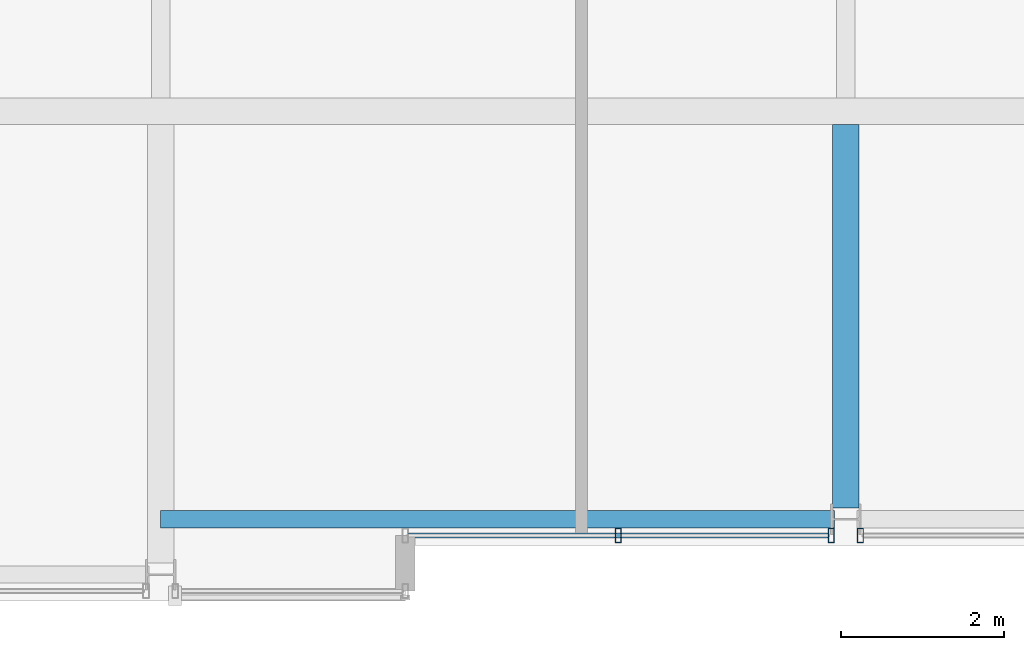
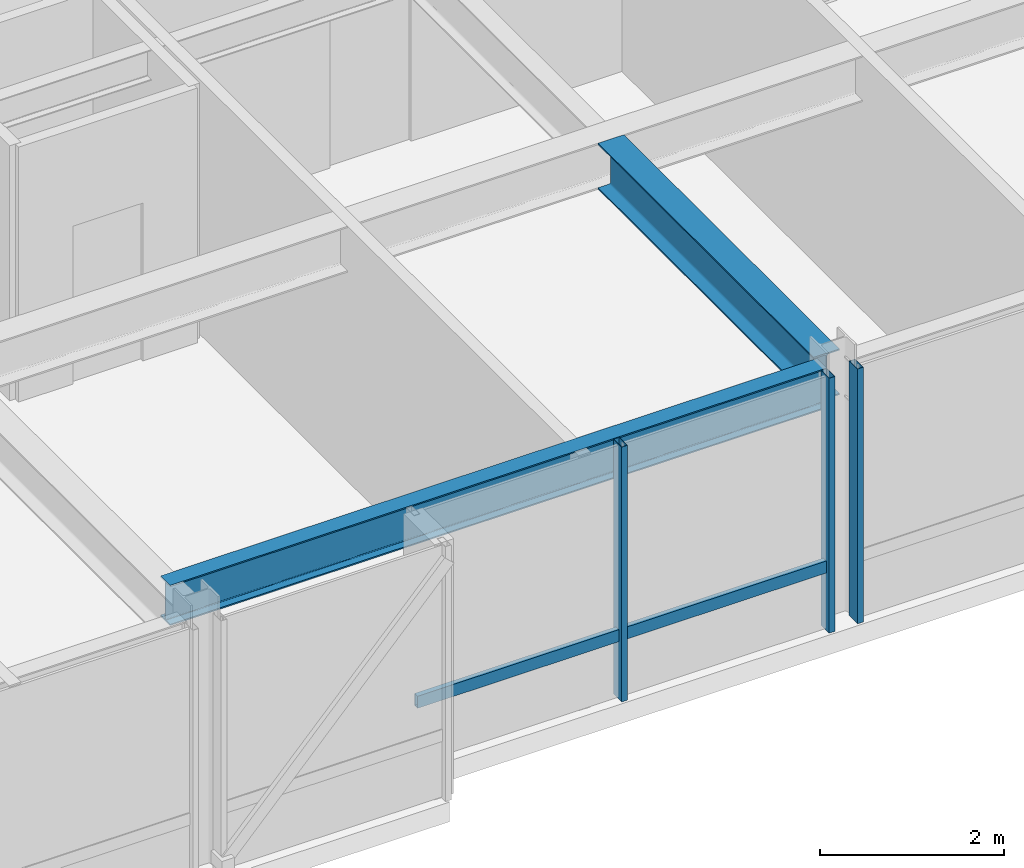
# One storey, part 7 of 33: 4 members, 2 beams, 2 elements without a shape of their own.
"""IFC4 building model written with IfcOpenShell, lengths in metres."""

from ifc_helpers import new_model, si_unit, direction, frame, origin, origin_2d, place, context, subcontext, project, spatial, hollow_rectangle, i_section, extrude, material, layer, layer_set, material_profile, profile_set, type_object, element, aggregate, save


model = new_model("IFC4")

# Units and contexts
model_context = context("Model", 3, precision=1e-05, world=origin(), true_north=direction((0.0, 1.0)))
body_context = subcontext(model_context, "Body", "Model", "MODEL_VIEW")
ifc_project = project(units=[si_unit("LENGTHUNIT", "METRE"), si_unit("AREAUNIT", "SQUARE_METRE"), si_unit("VOLUMEUNIT", "CUBIC_METRE"), si_unit("PLANEANGLEUNIT", "RADIAN"), si_unit("MASSUNIT", "GRAM", prefix="KILO")], contexts=[model_context])

# Site, building, storey
site_placement = place(None, origin())
site = spatial("IfcSite", under=ifc_project, at=site_placement, CompositionType="ELEMENT")
building_placement = place(site_placement, origin())
building = spatial("IfcBuilding", under=site, at=building_placement, Name="Drelvath Grand Hotel", CompositionType="ELEMENT")
storey_placement = place(building_placement, frame((0.0, 0.0, 268.64990234375)))
storey = spatial("IfcBuildingStorey", under=building, at=storey_placement, Name="L70", CompositionType="ELEMENT", Elevation=268.64990234375)

# Curtain wall, members
ifc_material_1 = material(Name="Platinum-Mist Anodised Aluminium Frame", Category="aluminium")
ifc_layer = layer(ifc_material_1, 0.199951171875)
ifc_layer_set = layer_set([ifc_layer], Name="Platinum-Mist Anodised Aluminium Frame")
curtain_wall_type = type_object("IfcCurtainWallType", Name="Stick Curtain Wall CW-05 Platinum Mist High-Rise", PredefinedType="NOTDEFINED", material=ifc_layer_set)
curtain_wall_1_placement = place(storey_placement, origin())
curtain_wall_1 = element("IfcCurtainWall", 1, at=curtain_wall_1_placement, inside=storey, type_object=curtain_wall_type, Name="L70 CW-05 Curtain Wall CW05-L70-SM1", PredefinedType="NOTDEFINED")
ifc_material_profile_1 = material_profile(ifc_material_1, hollow_rectangle(XDim=0.06494140625, YDim=0.159912109375, WallThickness=0.00390625, at=origin_2d()), Name="HSS160X65X4")
ifc_profile_set_1 = profile_set([ifc_material_profile_1], Name="Platinum-Mist Anodised Aluminium Frame")
member_type_1 = type_object("IfcMemberType", Name="Curtain Wall Horizontal Transom CW-05 HSS160X65X4", PredefinedType="USERDEFINED", material=ifc_profile_set_1)
member_1_placement = place(storey_placement, frame((-0.21826171875, 5.60009765625, 0.84765625), z_axis=(-1.0, 0.0, 0.0), x_axis=(0.0, -1.0, 0.0)))
member_1 = element("IfcMember", 2, at=member_1_placement, type_object=member_type_1, Name="CW05-L70-SM1 Sill Transom", ObjectType="TRANSOM", PredefinedType="USERDEFINED", context=body_context, shape_type="SweptSolid", body=[
    extrude(hollow_rectangle(XDim=0.06494140625, YDim=0.159912109375, WallThickness=0.00390625, at=origin_2d()), origin(), (0.0, 0.0, 1.0), 5.141845703125),
])
ifc_material_profile_2 = material_profile(ifc_material_1, hollow_rectangle(XDim=0.074951171875, YDim=0.179931640625, WallThickness=0.0048828125, at=origin_2d()), Name="HSS180X75X5")
ifc_profile_set_2 = profile_set([ifc_material_profile_2], Name="Platinum-Mist Anodised Aluminium Frame")
member_type_2 = type_object("IfcMemberType", Name="Curtain Wall Vertical Mullion CW-05 HSS180X75X5", PredefinedType="MULLION", material=ifc_profile_set_2)
member_2_placement = place(storey_placement, frame((-0.17822265625, 5.60009765625, 0.0), z_axis=(0.0, 0.0, 1.0), x_axis=(1.0, 0.0, 0.0)))
member_2 = element("IfcMember", 3, at=member_2_placement, type_object=member_type_2, Name="CW05-L70-SM1 Mullion 1", PredefinedType="MULLION", context=body_context, shape_type="SweptSolid", body=[
    extrude(hollow_rectangle(XDim=0.074951171875, YDim=0.179931640625, WallThickness=0.0048828125, at=origin_2d()), origin(), (0.0, 0.0, 1.0), 3.39013671875),
])
member_3_placement = place(storey_placement, frame((-2.7890625, 5.60009765625, 0.0), z_axis=(0.0, 0.0, 1.0), x_axis=(1.0, 0.0, 0.0)))
member_3 = element("IfcMember", 4, at=member_3_placement, type_object=member_type_2, Name="CW05-L70-SM1 Mullion 2", PredefinedType="MULLION", context=body_context, shape_type="SweptSolid", body=[
    extrude(hollow_rectangle(XDim=0.074951171875, YDim=0.179931640625, WallThickness=0.0048828125, at=origin_2d()), origin(), (0.0, 0.0, 1.0), 3.39013671875),
])
aggregate(curtain_wall_1, [member_2, member_3, member_1])

# Curtain wall, member
curtain_wall_2_placement = place(storey_placement, origin())
curtain_wall_2 = element("IfcCurtainWall", 5, at=curtain_wall_2_placement, inside=storey, type_object=curtain_wall_type, Name="L70 CW-05 Curtain Wall CW05-L70-SM2", PredefinedType="NOTDEFINED")
member_4_placement = place(storey_placement, frame((0.17822265625, 5.60009765625, 0.0), z_axis=(0.0, 0.0, 1.0), x_axis=(1.0, 0.0, 0.0)))
member_4 = element("IfcMember", 6, at=member_4_placement, type_object=member_type_2, Name="CW05-L70-SM2 Mullion 3", PredefinedType="MULLION", context=body_context, shape_type="SweptSolid", body=[
    extrude(hollow_rectangle(XDim=0.074951171875, YDim=0.179931640625, WallThickness=0.0048828125, at=origin_2d()), origin(), (0.0, 0.0, 1.0), 3.39013671875),
])
aggregate(curtain_wall_2, [member_4])

# Beams
ifc_material_2 = material(Name="Steel ASTM A992 Gr 50", Category="steel")
ifc_material_profile_3 = material_profile(ifc_material_2, i_section(OverallWidth=0.210205078125, OverallDepth=0.53662109375, WebThickness=0.010986328125, FlangeThickness=0.017333984375, FilletRadius=0.01806640625, at=origin_2d()), Name="W21X68")
ifc_profile_set_3 = profile_set([ifc_material_profile_3], Name="Steel ASTM A992 Gr 50")
beam_type_1 = type_object("IfcBeamType", Name="Perimeter Spandrel Beam W21X68", PredefinedType="SPANDREL", material=ifc_profile_set_3)
beam_1_placement = place(storey_placement, frame((-8.39990234375, 5.800048828125, 3.121826171875), z_axis=(1.0, 0.0, 0.0), x_axis=(0.0, 1.0, 0.0)))
element("IfcBeam", 7, at=beam_1_placement, inside=storey, type_object=beam_type_1, Name="L70 Spandrel South Mid W", PredefinedType="SPANDREL", context=body_context, shape_type="SweptSolid", body=[
    extrude(i_section(OverallWidth=0.210205078125, OverallDepth=0.53662109375, WebThickness=0.010986328125, FlangeThickness=0.017333984375, FilletRadius=0.01806640625, at=origin_2d()), origin(), (0.0, 0.0, 1.0), 8.260009765625),
])
ifc_material_profile_4 = material_profile(ifc_material_2, i_section(OverallWidth=0.323974609375, OverallDepth=0.611083984375, WebThickness=0.0126953125, FlangeThickness=0.01904296875, FilletRadius=0.02197265625, at=origin_2d()), Name="W24X104")
ifc_profile_set_4 = profile_set([ifc_material_profile_4], Name="Steel ASTM A992 Gr 50")
beam_type_2 = type_object("IfcBeamType", Name="Primary Floor Girder W24X104", PredefinedType="BEAM", material=ifc_profile_set_4)
beam_2_placement = place(storey_placement, frame((0.0, 5.93994140625, 3.084716796875), z_axis=(0.0, 1.0, 0.0), x_axis=(-1.0, 0.0, 0.0)))
element("IfcBeam", 8, at=beam_2_placement, inside=storey, type_object=beam_type_2, Name="L70 South Wing Girder 5", PredefinedType="BEAM", context=body_context, shape_type="SweptSolid", body=[
    extrude(i_section(OverallWidth=0.323974609375, OverallDepth=0.611083984375, WebThickness=0.0126953125, FlangeThickness=0.01904296875, FilletRadius=0.02197265625, at=origin_2d()), origin(), (0.0, 0.0, 1.0), 4.697998046875),
])

save(model, "model.ifc")
